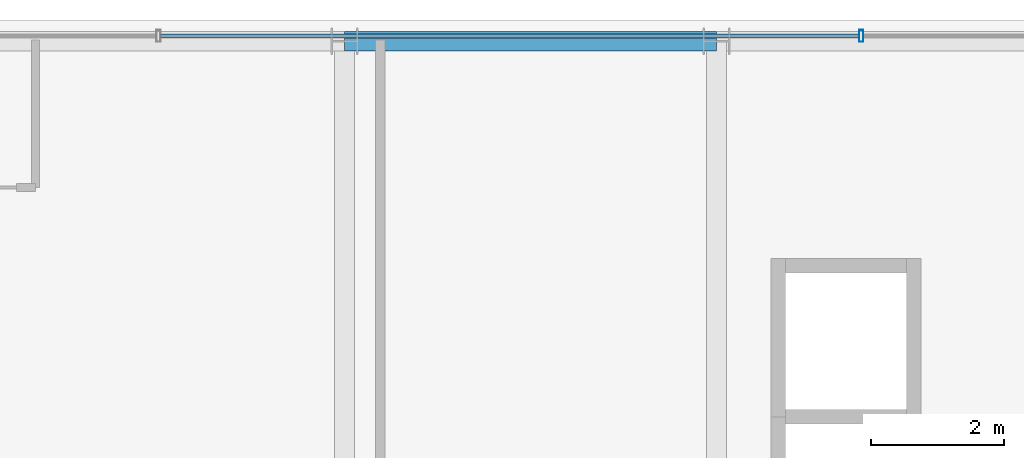
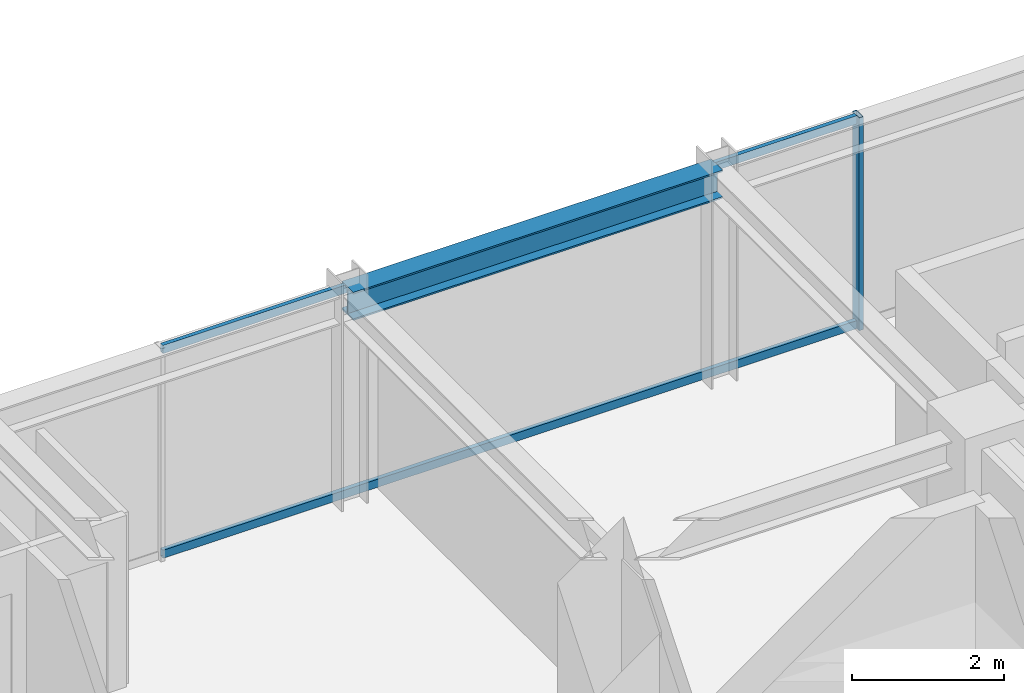
# One storey, part 23 of 32: 3 members, 1 beam, 1 element without a shape of its own.
"""IFC4 building model written with IfcOpenShell, lengths in metres."""

from ifc_helpers import new_model, si_unit, direction, frame, origin, origin_2d, place, context, subcontext, project, spatial, hollow_rectangle, i_section, extrude, source, transform, mapped, material, material_profile, profile_set, type_object, element, aggregate, save


model = new_model("IFC4")

# Units and contexts
model_context = context("Model", 3, precision=1e-05, world=origin(), true_north=direction((0.0, 1.0)))
body_context = subcontext(model_context, "Body", "Model", "MODEL_VIEW")
ifc_project = project(units=[si_unit("LENGTHUNIT", "METRE"), si_unit("AREAUNIT", "SQUARE_METRE"), si_unit("VOLUMEUNIT", "CUBIC_METRE"), si_unit("PLANEANGLEUNIT", "RADIAN"), si_unit("MASSUNIT", "GRAM", prefix="KILO")], contexts=[model_context])

# Site, building, storey
site_placement = place(None, origin())
site = spatial("IfcSite", under=ifc_project, at=site_placement, CompositionType="ELEMENT")
building_placement = place(site_placement, origin())
building = spatial("IfcBuilding", under=site, at=building_placement, Name="Nahalor Promenade Grand Hotel", CompositionType="ELEMENT")
storey_placement = place(building_placement, frame((0.0, 0.0, 230.800048828125)))
storey = spatial("IfcBuildingStorey", under=building, at=storey_placement, Name="L59", CompositionType="ELEMENT", Elevation=230.800048828125)

# Beam
ifc_material_1 = material(Name="Steel S355JR", Category="steel")
ifc_material_profile_1 = material_profile(ifc_material_1, i_section(OverallWidth=0.3, OverallDepth=0.45, WebThickness=0.014, FlangeThickness=0.026, at=origin_2d()), Name="HEB 450")
ifc_profile_set_1 = profile_set([ifc_material_profile_1], Name="Steel S355JR")
beam_type = type_object("IfcBeamType", Name="Beam-Spandrel-HEB450", PredefinedType="SPANDREL", material=ifc_profile_set_1)
shared_shape_1 = source(origin(), body_context, "Body", "SweptSolid", [
    extrude(i_section(OverallWidth=0.3, OverallDepth=0.45, WebThickness=0.014, FlangeThickness=0.026, at=origin_2d()), origin(), (0.0, 0.0, 1.0), 5.599853515625),
])
beam_placement = place(storey_placement, frame((2.800048828125, 23.8798828125, 3.18505859375), z_axis=(1.0, 0.0, 0.0), x_axis=(0.0, 1.0, 0.0)))
element("IfcBeam", 1, at=beam_placement, inside=storey, type_object=beam_type, Name="BM-L59-SP-N-3", PredefinedType="SPANDREL", context=body_context, shape_type="MappedRepresentation", body=[
    mapped(shared_shape_1, transform((0.0, 0.0, 0.0), scale=1.0)),
])

# Curtain wall, members
ifc_material_2 = material(Name="Anodised Bronze Aluminium EN AW-6063 T6", Category="aluminium")
curtain_wall_type = type_object("IfcCurtainWallType", Name="CW2 Typical Hotel Flush Bronze Unitised Curtain Wall", PredefinedType="USERDEFINED", material=ifc_material_2)
curtain_wall_placement = place(storey_placement, origin())
curtain_wall = element("IfcCurtainWall", 2, at=curtain_wall_placement, inside=storey, type_object=curtain_wall_type, Name="L59 Curtain Wall CW-L59-N-1", ObjectType="UNITISED_CURTAIN_WALL", PredefinedType="USERDEFINED")
ifc_material_profile_2 = material_profile(ifc_material_2, hollow_rectangle(XDim=0.065, YDim=0.13, WallThickness=0.004, at=origin_2d()), Name="CWT 65x130x4")
ifc_profile_set_2 = profile_set([ifc_material_profile_2], Name="Anodised Bronze Aluminium EN AW-6063 T6")
member_type_1 = type_object("IfcMemberType", Name="CWT2 Typical Bronze Transom 65x130", PredefinedType="USERDEFINED", material=ifc_profile_set_2)
shared_shape_2 = source(origin(), body_context, "Body", "SweptSolid", [
    extrude(hollow_rectangle(XDim=0.065, YDim=0.13, WallThickness=0.004, at=origin_2d()), origin(), (0.0, 0.0, 1.0), 10.51513671875),
])
member_1_placement = place(storey_placement, frame((0.032470703125, 23.9599609375, 0.06494140625), z_axis=(1.0, 0.0, 0.0), x_axis=(0.0, 1.0, 0.0)))
member_1 = element("IfcMember", 3, at=member_1_placement, type_object=member_type_1, Name="CW-L59-N-1 Transom 2-0", ObjectType="TRANSOM", PredefinedType="USERDEFINED", context=body_context, shape_type="MappedRepresentation", body=[
    mapped(shared_shape_2, transform((0.0, 0.0, 0.0), scale=1.0)),
])
member_2_placement = place(storey_placement, frame((0.032470703125, 23.9599609375, 3.344970703125), z_axis=(1.0, 0.0, 0.0), x_axis=(0.0, 1.0, 0.0)))
member_2 = element("IfcMember", 4, at=member_2_placement, type_object=member_type_1, Name="CW-L59-N-1 Transom 2-1", ObjectType="TRANSOM", PredefinedType="USERDEFINED", context=body_context, shape_type="MappedRepresentation", body=[
    mapped(shared_shape_2, transform((0.0, 0.0, 0.0), scale=1.0)),
])
ifc_material_profile_3 = material_profile(ifc_material_2, hollow_rectangle(XDim=0.065, YDim=0.18, WallThickness=0.004, at=origin_2d()), Name="CWM 65x180x4")
ifc_profile_set_3 = profile_set([ifc_material_profile_3], Name="Anodised Bronze Aluminium EN AW-6063 T6")
member_type_2 = type_object("IfcMemberType", Name="CWM2 Typical Bronze Mullion 65x180", PredefinedType="MULLION", material=ifc_profile_set_3)
shared_shape_3 = source(origin(), body_context, "Body", "SweptSolid", [
    extrude(hollow_rectangle(XDim=0.065, YDim=0.18, WallThickness=0.004, at=origin_2d()), origin(), (0.0, 0.0, 1.0), 3.409912109375),
])
member_3_placement = place(storey_placement, frame((10.580078125, 23.9599609375, 0.0), z_axis=(0.0, 0.0, 1.0), x_axis=(1.0, 0.0, 0.0)))
member_3 = element("IfcMember", 5, at=member_3_placement, type_object=member_type_2, Name="CW-L59-N-1 Mullion 3", PredefinedType="MULLION", context=body_context, shape_type="MappedRepresentation", body=[
    mapped(shared_shape_3, transform((0.0, 0.0, 0.0), scale=1.0)),
])
aggregate(curtain_wall, [member_3, member_1, member_2])

save(model, "model.ifc")
